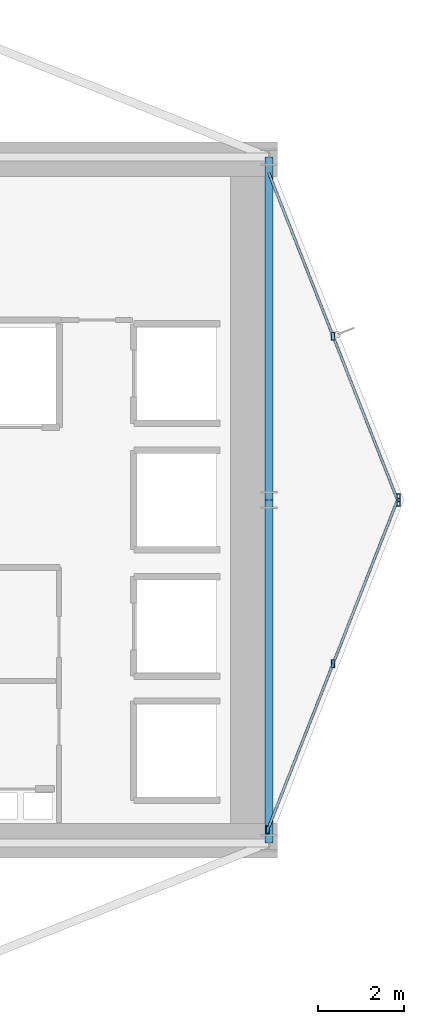
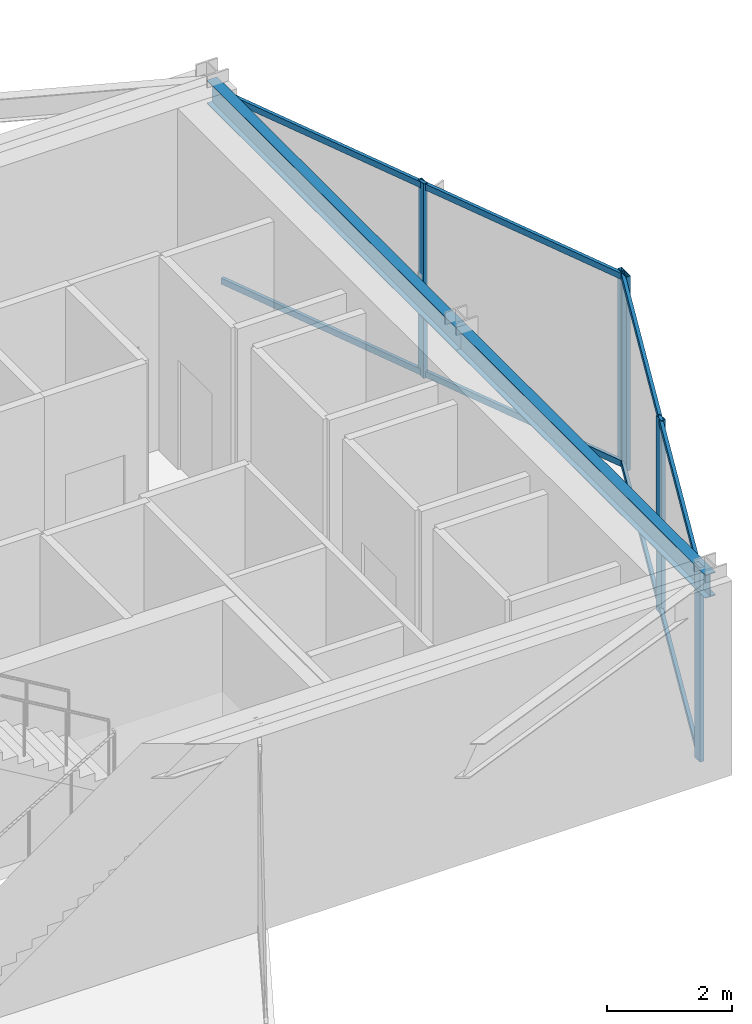
# One storey, part 14 of 25: 9 members, 2 beams, 2 elements without a shape of their own.
"""IFC4 building model written with IfcOpenShell, lengths in metres."""

from ifc_helpers import new_model, si_unit, direction, frame, origin, origin_2d, place, context, subcontext, project, spatial, hollow_rectangle, i_section, extrude, material, layer, layer_set, material_profile, profile_set, type_object, element, aggregate, save


model = new_model("IFC4")

# Units and contexts
model_context = context("Model", 3, precision=1e-05, world=origin(), true_north=direction((0.0, 1.0)))
body_context = subcontext(model_context, "Body", "Model", "MODEL_VIEW")
ifc_project = project(units=[si_unit("LENGTHUNIT", "METRE"), si_unit("AREAUNIT", "SQUARE_METRE"), si_unit("VOLUMEUNIT", "CUBIC_METRE"), si_unit("PLANEANGLEUNIT", "RADIAN"), si_unit("MASSUNIT", "GRAM", prefix="KILO")], contexts=[model_context])

# Site, building, storey
site_placement = place(None, origin())
site = spatial("IfcSite", under=ifc_project, at=site_placement, CompositionType="ELEMENT")
building_placement = place(site_placement, origin())
building = spatial("IfcBuilding", under=site, at=building_placement, Name="Veymaron Broadcast Tower", CompositionType="ELEMENT")
storey_placement = place(building_placement, frame((0.0, 0.0, 149.25)))
storey = spatial("IfcBuildingStorey", under=building, at=storey_placement, Name="L34", CompositionType="ELEMENT", Elevation=149.25)

# Beams
ifc_material_1 = material(Name="Structural steel ASTM A992 Gr 50", Category="steel")
ifc_material_profile_1 = material_profile(ifc_material_1, i_section(OverallWidth=0.19091796875, OverallDepth=0.4599609375, WebThickness=0.010009765625, FlangeThickness=0.01611328125, at=origin_2d()), Name="W460X82")
ifc_profile_set_1 = profile_set([ifc_material_profile_1], Name="Structural steel ASTM A992 Gr 50")
beam_type = type_object("IfcBeamType", Name="BM-SP1", PredefinedType="SPANDREL", material=ifc_profile_set_1)
for number, where, z_axis, x_axis, name in (
    (1, (54.60009765625, 16.0, 3.580078125), (0.0, 1.0, 0.0), (-1.0, 0.0, 0.0), "L34 primary structural floor girder"),
    (2, (54.60009765625, 24.0, 3.580078125), (0.0, 1.0, 0.0), (-1.0, 0.0, 0.0), "L34 primary structural floor girder"),
):
    element("IfcBeam", number, at=place(storey_placement, frame(where, z_axis=z_axis, x_axis=x_axis)), inside=storey, type_object=beam_type, Name=name, PredefinedType="SPANDREL", context=body_context, shape_type="SweptSolid", body=[
        extrude(i_section(OverallWidth=0.19091796875, OverallDepth=0.4599609375, WebThickness=0.010009765625, FlangeThickness=0.01611328125, at=origin_2d()), origin(), (0.0, 0.0, 1.0), 8.0),
    ])

# Curtain wall, members
ifc_material_2 = material(Name="Anodised aluminium AA 6063-T6 and laminated low-E dark glass", Category="aluminium")
ifc_layer = layer(ifc_material_2, 0.179931640625)
ifc_layer_set = layer_set([ifc_layer], Name="Anodised aluminium AA 6063-T6 and laminated low-E dark glass")
curtain_wall_type = type_object("IfcCurtainWallType", Name="CW-SYS-03", PredefinedType="NOTDEFINED", material=ifc_layer_set)
curtain_wall_1_placement = place(storey_placement, origin())
curtain_wall_1 = element("IfcCurtainWall", 3, at=curtain_wall_1_placement, inside=storey, type_object=curtain_wall_type, Name="L34 dark-glass curtain wall CW-L34-E2-1", PredefinedType="NOTDEFINED")
ifc_material_3 = material(Name="Anodised aluminium AA 6063-T6", Category="aluminium")
ifc_material_profile_2 = material_profile(ifc_material_3, hollow_rectangle(XDim=0.074951171875, YDim=0.179931640625, WallThickness=0.0048828125, at=origin_2d()), Name="AL180X75X5")
ifc_profile_set_2 = profile_set([ifc_material_profile_2], Name="Anodised aluminium AA 6063-T6")
member_type_1 = type_object("IfcMemberType", Name="CW-MUL-02", PredefinedType="MULLION", material=ifc_profile_set_2)
member_1_placement = place(storey_placement, frame((54.569091796875, 16.303466796875, 0.0), z_axis=(0.0, 0.0, 1.0), x_axis=(1.0, 0.0, 0.0)))
member_1 = element("IfcMember", 4, at=member_1_placement, type_object=member_type_1, Name="CW-L34-E2-1 mullion 0", PredefinedType="MULLION", context=body_context, shape_type="SweptSolid", body=[
    extrude(hollow_rectangle(XDim=0.074951171875, YDim=0.179931640625, WallThickness=0.0048828125, at=origin_2d()), origin(), (0.0, 0.0, 1.0), 3.81005859375),
])
member_2_placement = place(storey_placement, frame((56.094482421875, 20.177490234375, 0.0), z_axis=(0.0, 0.0, 1.0), x_axis=(1.0, 0.0, 0.0)))
member_2 = element("IfcMember", 5, at=member_2_placement, type_object=member_type_1, Name="CW-L34-E2-1 mullion 1", PredefinedType="MULLION", context=body_context, shape_type="SweptSolid", body=[
    extrude(hollow_rectangle(XDim=0.074951171875, YDim=0.179931640625, WallThickness=0.0048828125, at=origin_2d()), origin(), (0.0, 0.0, 1.0), 3.81005859375),
])
member_3_placement = place(storey_placement, frame((57.61962890625, 24.05126953125, 0.0), z_axis=(0.0, 0.0, 1.0), x_axis=(1.0, 0.0, 0.0)))
member_3 = element("IfcMember", 6, at=member_3_placement, type_object=member_type_1, Name="CW-L34-E2-1 mullion 2", PredefinedType="MULLION", context=body_context, shape_type="SweptSolid", body=[
    extrude(hollow_rectangle(XDim=0.074951171875, YDim=0.179931640625, WallThickness=0.0048828125, at=origin_2d()), origin(), (0.0, 0.0, 1.0), 3.81005859375),
])

curtain_wall_2_placement = place(storey_placement, origin())
curtain_wall_2 = element("IfcCurtainWall", 7, at=curtain_wall_2_placement, inside=storey, type_object=curtain_wall_type, Name="L34 dark-glass curtain wall CW-L34-E3-1", PredefinedType="NOTDEFINED")
member_4_placement = place(storey_placement, frame((57.61962890625, 23.94873046875, 0.0), z_axis=(0.0, 0.0, 1.0), x_axis=(1.0, 0.0, 0.0)))
member_4 = element("IfcMember", 8, at=member_4_placement, type_object=member_type_1, Name="CW-L34-E3-1 mullion 0", PredefinedType="MULLION", context=body_context, shape_type="SweptSolid", body=[
    extrude(hollow_rectangle(XDim=0.074951171875, YDim=0.179931640625, WallThickness=0.0048828125, at=origin_2d()), origin(), (0.0, 0.0, 1.0), 3.81005859375),
])
member_5_placement = place(storey_placement, frame((56.094482421875, 27.822509765625, 0.0), z_axis=(0.0, 0.0, 1.0), x_axis=(1.0, 0.0, 0.0)))
member_5 = element("IfcMember", 9, at=member_5_placement, type_object=member_type_1, Name="CW-L34-E3-1 mullion 1", PredefinedType="MULLION", context=body_context, shape_type="SweptSolid", body=[
    extrude(hollow_rectangle(XDim=0.074951171875, YDim=0.179931640625, WallThickness=0.0048828125, at=origin_2d()), origin(), (0.0, 0.0, 1.0), 3.81005859375),
])

# Member
ifc_material_profile_3 = material_profile(ifc_material_3, hollow_rectangle(XDim=0.06005859375, YDim=0.1201171875, WallThickness=0.00390625, at=origin_2d()), Name="AL120X60X4")
ifc_profile_set_3 = profile_set([ifc_material_profile_3], Name="Anodised aluminium AA 6063-T6")
member_type_2 = type_object("IfcMemberType", Name="CW-TRN-02", PredefinedType="USERDEFINED", material=ifc_profile_set_3)
member_6_placement = place(storey_placement, frame((54.58740234375, 16.349853515625, 0.070068359375), z_axis=(0.366345467146, 0.930478908252, 0.0), x_axis=(-0.930478908252, 0.366345467146, 0.0)))
member_6 = element("IfcMember", 10, at=member_6_placement, type_object=member_type_2, Name="CW-L34-E2-1 transom B", ObjectType="TRANSOM", PredefinedType="USERDEFINED", context=body_context, shape_type="SweptSolid", body=[
    extrude(hollow_rectangle(XDim=0.06005859375, YDim=0.1201171875, WallThickness=0.00390625, at=origin_2d()), origin(), (0.0, 0.0, 1.0), 8.22705078125),
])

member_7_placement = place(storey_placement, frame((54.58740234375, 16.349853515625, 3.739990234375), z_axis=(0.366345467146, 0.930478908252, 0.0), x_axis=(-0.930478908252, 0.366345467146, 0.0)))
member_7 = element("IfcMember", 11, at=member_7_placement, type_object=member_type_2, Name="CW-L34-E2-1 transom T", ObjectType="TRANSOM", PredefinedType="USERDEFINED", context=body_context, shape_type="SweptSolid", body=[
    extrude(hollow_rectangle(XDim=0.06005859375, YDim=0.1201171875, WallThickness=0.00390625, at=origin_2d()), origin(), (0.0, 0.0, 1.0), 8.22705078125),
])

aggregate(curtain_wall_1, [member_1, member_2, member_3, member_6, member_7])

member_8_placement = place(storey_placement, frame((57.601318359375, 23.9951171875, 0.070068359375), z_axis=(-0.366345467146, 0.930478908252, 0.0), x_axis=(-0.930478908252, -0.366345467146, 0.0)))
member_8 = element("IfcMember", 12, at=member_8_placement, type_object=member_type_2, Name="CW-L34-E3-1 transom B", ObjectType="TRANSOM", PredefinedType="USERDEFINED", context=body_context, shape_type="SweptSolid", body=[
    extrude(hollow_rectangle(XDim=0.06005859375, YDim=0.1201171875, WallThickness=0.00390625, at=origin_2d()), origin(), (0.0, 0.0, 1.0), 8.22705078125),
])

member_9_placement = place(storey_placement, frame((57.601318359375, 23.9951171875, 3.739990234375), z_axis=(-0.366345467146, 0.930478908252, 0.0), x_axis=(-0.930478908252, -0.366345467146, 0.0)))
member_9 = element("IfcMember", 13, at=member_9_placement, type_object=member_type_2, Name="CW-L34-E3-1 transom T", ObjectType="TRANSOM", PredefinedType="USERDEFINED", context=body_context, shape_type="SweptSolid", body=[
    extrude(hollow_rectangle(XDim=0.06005859375, YDim=0.1201171875, WallThickness=0.00390625, at=origin_2d()), origin(), (0.0, 0.0, 1.0), 8.22705078125),
])

aggregate(curtain_wall_2, [member_4, member_5, member_8, member_9])

save(model, "model.ifc")
